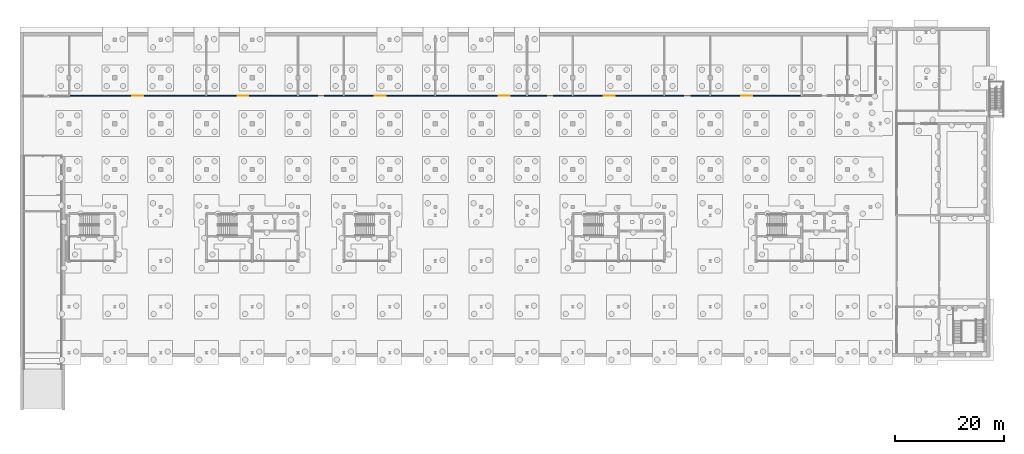
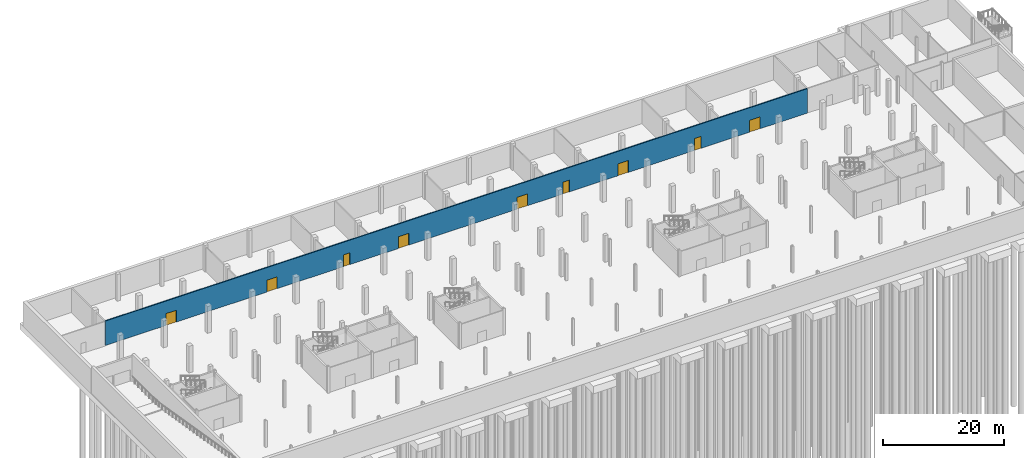
# One storey, part 17 of 29: 9 doors, 1 wall, 9 openings.
"""IFC4 building model written with IfcOpenShell, lengths in metres."""

from ifc_helpers import new_model, si_unit, direction, frame, frame_2d, origin, place, context, subcontext, project, spatial, rectangle, extrude, material, layer, layer_set, type_object, element, fill, save


model = new_model("IFC4")

# Units and contexts
model_context = context("Model", 3, precision=1e-05, world=origin(), true_north=direction((0.0, 1.0)))
body_context = subcontext(model_context, "Body", "Model", "MODEL_VIEW")
ifc_project = project(units=[si_unit("LENGTHUNIT", "METRE"), si_unit("AREAUNIT", "SQUARE_METRE"), si_unit("VOLUMEUNIT", "CUBIC_METRE"), si_unit("PLANEANGLEUNIT", "RADIAN"), si_unit("MASSUNIT", "GRAM", prefix="KILO")], contexts=[model_context])

# Site, building, storey
site_placement = place(None, origin())
site = spatial("IfcSite", under=ifc_project, at=site_placement, CompositionType="ELEMENT")
building_placement = place(site_placement, origin())
building = spatial("IfcBuilding", under=site, at=building_placement, Name="Cresset Court Congress Hotel", CompositionType="ELEMENT")
storey_placement = place(building_placement, frame((0.0, 0.0, -5.39990234375)))
storey = spatial("IfcBuildingStorey", under=building, at=storey_placement, Name="B1", CompositionType="ELEMENT", Elevation=-5.39990234375)

# Wall, openings, doors
ifc_material_1 = material(Name="Concrete C35", Category="concrete")
ifc_layer = layer(ifc_material_1, 0.199951171875)
ifc_layer_set = layer_set([ifc_layer], Name="Plant room wall 200")
wall_type = type_object("IfcWallType", Name="Plant room wall 200", PredefinedType="PARTITIONING", material=ifc_layer_set)
wall_placement = place(storey_placement, frame((8.39990234375, 47.10009765625, 0.0), z_axis=(0.0, 0.0, 1.0), x_axis=(1.0, 0.0, 0.0)))
wall = element("IfcWall", 1, at=wall_placement, inside=storey, type_object=wall_type, Name="S.wall.B1.P017", PredefinedType="PARTITIONING", context=body_context, shape_type="SweptSolid", body=[
    extrude(rectangle(XDim=134.400146484375, YDim=0.199951171875, at=frame_2d((67.2001953125, 0.0))), origin(), (0.0, 0.0, 1.0), 4.949951171875),
])
opening_1_placement = place(wall_placement, frame((11.60009765625, 0.0, 0.0)))
opening_1 = element("IfcOpeningElement", 2, at=opening_1_placement, cuts=wall, Name="Opening DS-B1-17", PredefinedType="OPENING", context=body_context, shape_type="SweptSolid", body=[
    extrude(rectangle(XDim=2.0, YDim=2.39990234375, at=frame_2d((1.0, 1.199951171875))), frame((0.0, 0.10986328125, 0.0), z_axis=(0.0, -1.0, 0.0), x_axis=(1.0, 0.0, 0.0)), (0.0, 0.0, 1.0), 0.219970703125),
])
opening_2_placement = place(wall_placement, frame((30.89990234375, 0.0, 0.0)))
opening_2 = element("IfcOpeningElement", 3, at=opening_2_placement, cuts=wall, Name="Opening DS-B1-18", PredefinedType="OPENING", context=body_context, shape_type="SweptSolid", body=[
    extrude(rectangle(XDim=2.0, YDim=2.39990234375, at=frame_2d((1.0, 1.199951171875))), frame((0.0, 0.10986328125, 0.0), z_axis=(0.0, -1.0, 0.0), x_axis=(1.0, 0.0, 0.0)), (0.0, 0.0, 1.0), 0.219970703125),
])
opening_3_placement = place(wall_placement, frame((45.60009765625, 0.0, 0.0)))
opening_3 = element("IfcOpeningElement", 4, at=opening_3_placement, cuts=wall, Name="Opening DS-B1-19", PredefinedType="OPENING", context=body_context, shape_type="SweptSolid", body=[
    extrude(rectangle(XDim=1.199951171875, YDim=2.39990234375, at=frame_2d((0.60009765625, 1.199951171875))), frame((0.0, 0.10986328125, 0.0), z_axis=(0.0, -1.0, 0.0), x_axis=(1.0, 0.0, 0.0)), (0.0, 0.0, 1.0), 0.219970703125),
])
opening_4_placement = place(wall_placement, frame((56.10009765625, 0.0, 0.0)))
opening_4 = element("IfcOpeningElement", 5, at=opening_4_placement, cuts=wall, Name="Opening DS-B1-20", PredefinedType="OPENING", context=body_context, shape_type="SweptSolid", body=[
    extrude(rectangle(XDim=2.0, YDim=2.39990234375, at=frame_2d((1.0, 1.199951171875))), frame((0.0, 0.10986328125, 0.0), z_axis=(0.0, -1.0, 0.0), x_axis=(1.0, 0.0, 0.0)), (0.0, 0.0, 1.0), 0.219970703125),
])
opening_5_placement = place(wall_placement, frame((78.800048828125, 0.0, 0.0)))
opening_5 = element("IfcOpeningElement", 6, at=opening_5_placement, cuts=wall, Name="Opening DS-B1-21", PredefinedType="OPENING", context=body_context, shape_type="SweptSolid", body=[
    extrude(rectangle(XDim=2.0, YDim=2.39990234375, at=frame_2d((1.0, 1.199951171875))), frame((0.0, 0.10986328125, 0.0), z_axis=(0.0, -1.0, 0.0), x_axis=(1.0, 0.0, 0.0)), (0.0, 0.0, 1.0), 0.219970703125),
])
opening_6_placement = place(wall_placement, frame((87.60009765625, 0.0, 0.0)))
opening_6 = element("IfcOpeningElement", 7, at=opening_6_placement, cuts=wall, Name="Opening DS-B1-22", PredefinedType="OPENING", context=body_context, shape_type="SweptSolid", body=[
    extrude(rectangle(XDim=1.199951171875, YDim=2.39990234375, at=frame_2d((0.60009765625, 1.199951171875))), frame((0.0, 0.10986328125, 0.0), z_axis=(0.0, -1.0, 0.0), x_axis=(1.0, 0.0, 0.0)), (0.0, 0.0, 1.0), 0.219970703125),
])
opening_7_placement = place(wall_placement, frame((98.10009765625, 0.0, 0.0)))
opening_7 = element("IfcOpeningElement", 8, at=opening_7_placement, cuts=wall, Name="Opening DS-B1-23", PredefinedType="OPENING", context=body_context, shape_type="SweptSolid", body=[
    extrude(rectangle(XDim=2.0, YDim=2.39990234375, at=frame_2d((1.0, 1.199951171875))), frame((0.0, 0.10986328125, 0.0), z_axis=(0.0, -1.0, 0.0), x_axis=(1.0, 0.0, 0.0)), (0.0, 0.0, 1.0), 0.219970703125),
])
opening_8_placement = place(wall_placement, frame((112.800048828125, 0.0, 0.0)))
opening_8 = element("IfcOpeningElement", 9, at=opening_8_placement, cuts=wall, Name="Opening DS-B1-24", PredefinedType="OPENING", context=body_context, shape_type="SweptSolid", body=[
    extrude(rectangle(XDim=1.199951171875, YDim=2.39990234375, at=frame_2d((0.60009765625, 1.199951171875))), frame((0.0, 0.10986328125, 0.0), z_axis=(0.0, -1.0, 0.0), x_axis=(1.0, 0.0, 0.0)), (0.0, 0.0, 1.0), 0.219970703125),
])
opening_9_placement = place(wall_placement, frame((123.300048828125, 0.0, 0.0)))
opening_9 = element("IfcOpeningElement", 10, at=opening_9_placement, cuts=wall, Name="Opening DS-B1-25", PredefinedType="OPENING", context=body_context, shape_type="SweptSolid", body=[
    extrude(rectangle(XDim=2.0, YDim=2.39990234375, at=frame_2d((1.0, 1.199951171875))), frame((0.0, 0.10986328125, 0.0), z_axis=(0.0, -1.0, 0.0), x_axis=(1.0, 0.0, 0.0)), (0.0, 0.0, 1.0), 0.219970703125),
])
ifc_material_2 = material(Name="Steel", Category="steel")
door_type_1 = type_object("IfcDoorType", Name="Plant room door 1200x2400", OperationType="SINGLE_SWING_LEFT", PredefinedType="DOOR", material=ifc_material_2)
door_1_placement = place(opening_3_placement, origin())
door_1 = element("IfcDoor", 11, at=door_1_placement, inside=storey, type_object=door_type_1, Name="Door DS-B1-19", OperationType="SINGLE_SWING_LEFT", OverallHeight=2.39990234375, OverallWidth=1.199951171875, PredefinedType="DOOR", context=body_context, shape_type="SweptSolid", body=[
    extrude(rectangle(XDim=1.199951171875, YDim=2.39990234375, at=frame_2d((0.60009765625, 1.199951171875))), frame((0.0, 0.02490234375, 0.0), z_axis=(0.0, -1.0, 0.0), x_axis=(1.0, 0.0, 0.0)), (0.0, 0.0, 1.0), 0.050048828125),
])
fill(opening_3, door_1)
door_2_placement = place(opening_6_placement, origin())
door_2 = element("IfcDoor", 12, at=door_2_placement, inside=storey, type_object=door_type_1, Name="Door DS-B1-22", OperationType="SINGLE_SWING_LEFT", OverallHeight=2.39990234375, OverallWidth=1.199951171875, PredefinedType="DOOR", context=body_context, shape_type="SweptSolid", body=[
    extrude(rectangle(XDim=1.199951171875, YDim=2.39990234375, at=frame_2d((0.60009765625, 1.199951171875))), frame((0.0, 0.02490234375, 0.0), z_axis=(0.0, -1.0, 0.0), x_axis=(1.0, 0.0, 0.0)), (0.0, 0.0, 1.0), 0.050048828125),
])
fill(opening_6, door_2)
door_3_placement = place(opening_8_placement, origin())
door_3 = element("IfcDoor", 13, at=door_3_placement, inside=storey, type_object=door_type_1, Name="Door DS-B1-24", OperationType="SINGLE_SWING_LEFT", OverallHeight=2.39990234375, OverallWidth=1.199951171875, PredefinedType="DOOR", context=body_context, shape_type="SweptSolid", body=[
    extrude(rectangle(XDim=1.199951171875, YDim=2.39990234375, at=frame_2d((0.60009765625, 1.199951171875))), frame((0.0, 0.02490234375, 0.0), z_axis=(0.0, -1.0, 0.0), x_axis=(1.0, 0.0, 0.0)), (0.0, 0.0, 1.0), 0.050048828125),
])
fill(opening_8, door_3)
ifc_material_3 = material(Name="Steel", Category="steel")
door_type_2 = type_object("IfcDoorType", Name="Plant room double door 2000x2400", OperationType="DOUBLE_DOOR_SINGLE_SWING", PredefinedType="DOOR", material=ifc_material_3)
door_4_placement = place(opening_1_placement, origin())
door_4 = element("IfcDoor", 14, at=door_4_placement, inside=storey, type_object=door_type_2, Name="Door DS-B1-17", OperationType="DOUBLE_DOOR_SINGLE_SWING", OverallHeight=2.39990234375, OverallWidth=2.0, PredefinedType="DOOR", context=body_context, shape_type="SweptSolid", body=[
    extrude(rectangle(XDim=2.0, YDim=2.39990234375, at=frame_2d((1.0, 1.199951171875))), frame((0.0, 0.02490234375, 0.0), z_axis=(0.0, -1.0, 0.0), x_axis=(1.0, 0.0, 0.0)), (0.0, 0.0, 1.0), 0.050048828125),
])
fill(opening_1, door_4)
door_5_placement = place(opening_2_placement, origin())
door_5 = element("IfcDoor", 15, at=door_5_placement, inside=storey, type_object=door_type_2, Name="Door DS-B1-18", OperationType="DOUBLE_DOOR_SINGLE_SWING", OverallHeight=2.39990234375, OverallWidth=2.0, PredefinedType="DOOR", context=body_context, shape_type="SweptSolid", body=[
    extrude(rectangle(XDim=2.0, YDim=2.39990234375, at=frame_2d((1.0, 1.199951171875))), frame((0.0, 0.02490234375, 0.0), z_axis=(0.0, -1.0, 0.0), x_axis=(1.0, 0.0, 0.0)), (0.0, 0.0, 1.0), 0.050048828125),
])
fill(opening_2, door_5)
door_6_placement = place(opening_4_placement, origin())
door_6 = element("IfcDoor", 16, at=door_6_placement, inside=storey, type_object=door_type_2, Name="Door DS-B1-20", OperationType="DOUBLE_DOOR_SINGLE_SWING", OverallHeight=2.39990234375, OverallWidth=2.0, PredefinedType="DOOR", context=body_context, shape_type="SweptSolid", body=[
    extrude(rectangle(XDim=2.0, YDim=2.39990234375, at=frame_2d((1.0, 1.199951171875))), frame((0.0, 0.02490234375, 0.0), z_axis=(0.0, -1.0, 0.0), x_axis=(1.0, 0.0, 0.0)), (0.0, 0.0, 1.0), 0.050048828125),
])
fill(opening_4, door_6)
door_7_placement = place(opening_5_placement, origin())
door_7 = element("IfcDoor", 17, at=door_7_placement, inside=storey, type_object=door_type_2, Name="Door DS-B1-21", OperationType="DOUBLE_DOOR_SINGLE_SWING", OverallHeight=2.39990234375, OverallWidth=2.0, PredefinedType="DOOR", context=body_context, shape_type="SweptSolid", body=[
    extrude(rectangle(XDim=2.0, YDim=2.39990234375, at=frame_2d((1.0, 1.199951171875))), frame((0.0, 0.02490234375, 0.0), z_axis=(0.0, -1.0, 0.0), x_axis=(1.0, 0.0, 0.0)), (0.0, 0.0, 1.0), 0.050048828125),
])
fill(opening_5, door_7)
door_8_placement = place(opening_7_placement, origin())
door_8 = element("IfcDoor", 18, at=door_8_placement, inside=storey, type_object=door_type_2, Name="Door DS-B1-23", OperationType="DOUBLE_DOOR_SINGLE_SWING", OverallHeight=2.39990234375, OverallWidth=2.0, PredefinedType="DOOR", context=body_context, shape_type="SweptSolid", body=[
    extrude(rectangle(XDim=2.0, YDim=2.39990234375, at=frame_2d((1.0, 1.199951171875))), frame((0.0, 0.02490234375, 0.0), z_axis=(0.0, -1.0, 0.0), x_axis=(1.0, 0.0, 0.0)), (0.0, 0.0, 1.0), 0.050048828125),
])
fill(opening_7, door_8)
door_9_placement = place(opening_9_placement, origin())
door_9 = element("IfcDoor", 19, at=door_9_placement, inside=storey, type_object=door_type_2, Name="Door DS-B1-25", OperationType="DOUBLE_DOOR_SINGLE_SWING", OverallHeight=2.39990234375, OverallWidth=2.0, PredefinedType="DOOR", context=body_context, shape_type="SweptSolid", body=[
    extrude(rectangle(XDim=2.0, YDim=2.39990234375, at=frame_2d((1.0, 1.199951171875))), frame((0.0, 0.02490234375, 0.0), z_axis=(0.0, -1.0, 0.0), x_axis=(1.0, 0.0, 0.0)), (0.0, 0.0, 1.0), 0.050048828125),
])
fill(opening_9, door_9)

save(model, "model.ifc")
